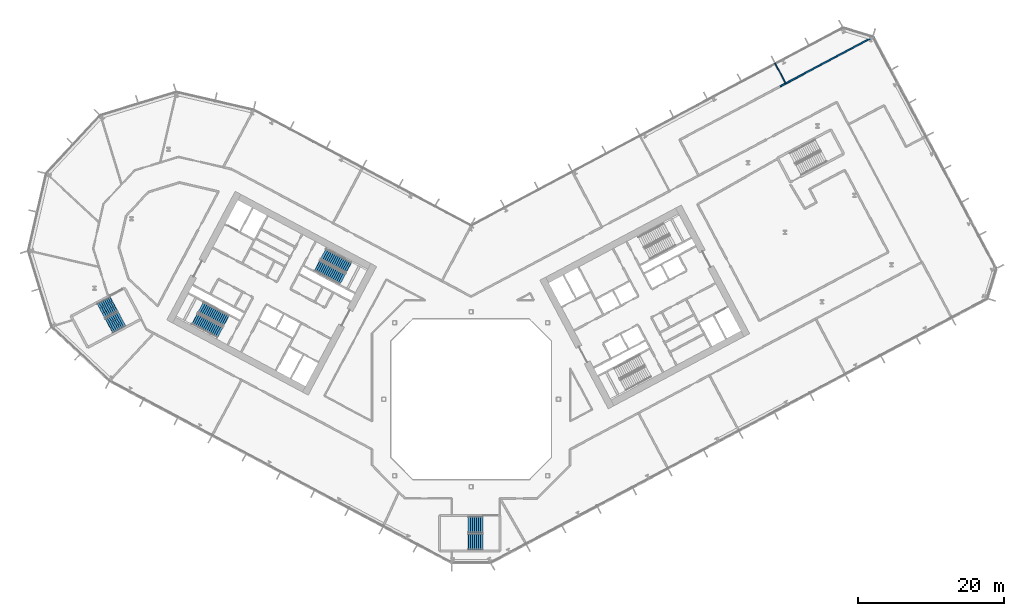
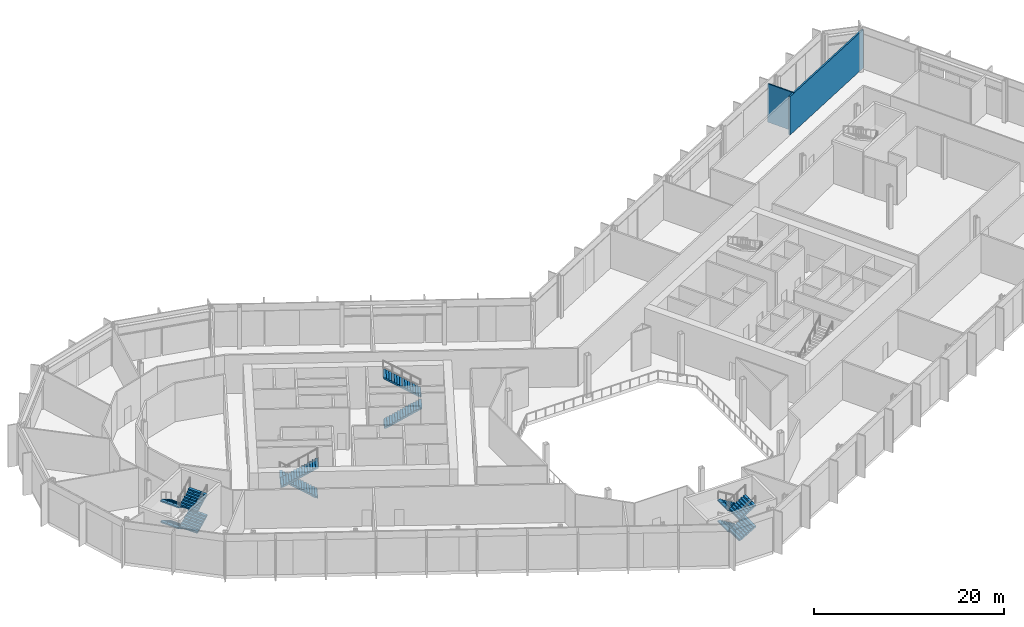
# One storey, part 17 of 30: 12 stair flights, 2 walls, 4 elements without a shape of their own.
"""IFC4 building model written with IfcOpenShell, lengths in metres."""

from ifc_helpers import new_model, si_unit, direction, frame, frame_2d, origin, place, context, subcontext, project, spatial, polyline, rectangle, outline, extrude, material, layer, layer_set, type_object, element, aggregate, save


model = new_model("IFC4")

# Units and contexts
model_context = context("Model", 3, precision=1e-05, world=origin(), true_north=direction((0.0, 1.0)))
body_context = subcontext(model_context, "Body", "Model", "MODEL_VIEW")
ifc_project = project(units=[si_unit("LENGTHUNIT", "METRE"), si_unit("AREAUNIT", "SQUARE_METRE"), si_unit("VOLUMEUNIT", "CUBIC_METRE"), si_unit("PLANEANGLEUNIT", "RADIAN"), si_unit("MASSUNIT", "GRAM", prefix="KILO")], contexts=[model_context])

# Site, building, storey
site_placement = place(None, origin())
site = spatial("IfcSite", under=ifc_project, at=site_placement, CompositionType="ELEMENT")
building_placement = place(site_placement, origin())
building = spatial("IfcBuilding", under=site, at=building_placement, Name="Cormorant Relay Tower", CompositionType="ELEMENT")
storey_placement = place(building_placement, frame((0.0, 0.0, 55.39990234375)))
storey = spatial("IfcBuildingStorey", under=building, at=storey_placement, Name="L10", CompositionType="ELEMENT", Elevation=55.39990234375)

# Walls
ifc_material_1 = material(Name="Fire-rated gypsum board partition")
ifc_layer_1 = layer(ifc_material_1, 0.199951171875)
ifc_layer_set_1 = layer_set([ifc_layer_1], Name="Fire-rated gypsum partition 200")
wall_type_1 = type_object("IfcWallType", Name="Fire-rated gypsum partition 200", PredefinedType="PARTITIONING", material=ifc_layer_set_1)
wall_1_placement = place(storey_placement, frame((42.426025390625, 42.945068359375, 0.0), z_axis=(0.0, 0.0, 1.0), x_axis=(0.882949550604, 0.469467880785, 0.0)))
element("IfcWall", 1, at=wall_1_placement, inside=storey, type_object=wall_type_1, Name="wall/L10/part/70", PredefinedType="PARTITIONING", context=body_context, shape_type="SweptSolid", body=[
    extrude(rectangle(XDim=14.595458984375, YDim=0.199951171875, at=frame_2d((7.2978515625, 0.0))), origin(), (0.0, 0.0, 1.0), 4.9501953125),
])
ifc_material_2 = material(Name="Gypsum board partition")
ifc_layer_2 = layer(ifc_material_2, 0.14990234375)
ifc_layer_set_2 = layer_set([ifc_layer_2], Name="Gypsum board partition 150")
wall_type_2 = type_object("IfcWallType", Name="Gypsum board partition 150", PredefinedType="PARTITIONING", material=ifc_layer_set_2)
wall_2_placement = place(storey_placement, frame((41.68603515625, 46.175048828125, 0.0), z_axis=(0.0, 0.0, 1.0), x_axis=(0.469447181805, -0.882960556025, 0.0)))
element("IfcWall", 2, at=wall_2_placement, inside=storey, type_object=wall_type_2, Name="wall/L10/part/69", PredefinedType="PARTITIONING", context=body_context, shape_type="SweptSolid", body=[
    extrude(rectangle(XDim=3.199462890625, YDim=0.14990234375, at=frame_2d((1.599609375, 0.0))), origin(), (0.0, 0.0, 1.0), 4.9501953125),
])

# Stair, stair flights
ifc_material_3 = material(Name="Concrete 40 MPa", Category="concrete")
stair_type_1 = type_object("IfcStairType", Name="Exit stair 1500", PredefinedType="HALF_TURN_STAIR", material=ifc_material_3)
stair_1_placement = place(storey_placement, origin())
stair_1 = element("IfcStair", 3, at=stair_1_placement, inside=storey, type_object=stair_type_1, Name="L10 Stair", PredefinedType="HALF_TURN_STAIR")
ifc_material_4 = material(Name="Concrete 40 MPa", Category="concrete")
stair_flight_type_1 = type_object("IfcStairFlightType", Name="Exit stair flight 1650", PredefinedType="STRAIGHT", material=ifc_material_4)
stair_flight_1_placement = place(storey_placement, frame((-21.114501953125, 18.33349609375, 0.0), z_axis=(0.0, 0.0, 1.0), x_axis=(0.882947592859, -0.469471562786, 0.0)))
stair_flight_1 = element("IfcStairFlight", 4, at=stair_flight_1_placement, type_object=stair_flight_type_1, Name="A1 flight 1", NumberOfRisers=15, NumberOfTreads=14, PredefinedType="STRAIGHT", RiserHeight=0.18, TreadLength=0.28, context=body_context, shape_type="SweptSolid", body=[
    extrude(outline(polyline([(-0.050048828125, -0.080078125), (-0.050048828125, 0.0), (0.0, 0.0), (0.0, 0.179931640625), (0.280029296875, 0.179931640625), (0.280029296875, 0.360107421875), (0.56005859375, 0.360107421875), (0.56005859375, 0.5400390625), (0.840087890625, 0.5400390625), (0.840087890625, 0.719970703125), (1.1201171875, 0.719970703125), (1.1201171875, 0.89990234375), (1.39990234375, 0.89990234375), (1.39990234375, 1.080078125), (1.679931640625, 1.080078125), (1.679931640625, 1.260009765625), (1.9599609375, 1.260009765625), (1.9599609375, 1.43994140625), (2.239990234375, 1.43994140625), (2.239990234375, 1.6201171875), (2.52001953125, 1.6201171875), (2.52001953125, 1.800048828125), (2.800048828125, 1.800048828125), (2.800048828125, 1.97998046875), (3.080078125, 1.97998046875), (3.080078125, 2.159912109375), (3.360107421875, 2.159912109375), (3.360107421875, 2.340087890625), (3.639892578125, 2.340087890625), (3.639892578125, 2.52001953125), (3.919921875, 2.52001953125), (3.969970703125, 2.52001953125), (3.969970703125, 2.341796875), (3.919921875, 2.341796875), (0.277099609375, 0.0), (-0.050048828125, -0.080078125)])), frame((0.0, 0.824951171875, 0.0), z_axis=(0.0, -1.0, 0.0), x_axis=(1.0, 0.0, 0.0)), (0.0, 0.0, 1.0), 1.64990234375),
])
stair_flight_2_placement = place(storey_placement, frame((-16.80810546875, 18.08251953125, 2.7001953125), z_axis=(0.0, 0.0, 1.0), x_axis=(-0.882947592859, 0.469471562786, 0.0)))
stair_flight_2 = element("IfcStairFlight", 5, at=stair_flight_2_placement, type_object=stair_flight_type_1, Name="A1 flight 2", NumberOfRisers=15, NumberOfTreads=14, PredefinedType="STRAIGHT", RiserHeight=0.18, TreadLength=0.28, context=body_context, shape_type="SweptSolid", body=[
    extrude(outline(polyline([(-0.050048828125, -0.080078125), (-0.050048828125, 0.0), (0.0, 0.0), (0.0, 0.179931640625), (0.280029296875, 0.179931640625), (0.280029296875, 0.360107421875), (0.56005859375, 0.360107421875), (0.56005859375, 0.5400390625), (0.840087890625, 0.5400390625), (0.840087890625, 0.719970703125), (1.1201171875, 0.719970703125), (1.1201171875, 0.89990234375), (1.39990234375, 0.89990234375), (1.39990234375, 1.080078125), (1.679931640625, 1.080078125), (1.679931640625, 1.260009765625), (1.9599609375, 1.260009765625), (1.9599609375, 1.43994140625), (2.239990234375, 1.43994140625), (2.239990234375, 1.6201171875), (2.52001953125, 1.6201171875), (2.52001953125, 1.800048828125), (2.800048828125, 1.800048828125), (2.800048828125, 1.97998046875), (3.080078125, 1.97998046875), (3.080078125, 2.159912109375), (3.360107421875, 2.159912109375), (3.360107421875, 2.340087890625), (3.639892578125, 2.340087890625), (3.639892578125, 2.52001953125), (3.919921875, 2.52001953125), (3.969970703125, 2.52001953125), (3.969970703125, 2.341796875), (3.919921875, 2.341796875), (0.277099609375, 0.0), (-0.050048828125, -0.080078125)])), frame((0.0, 0.824951171875, 0.0), z_axis=(0.0, -1.0, 0.0), x_axis=(1.0, 0.0, 0.0)), (0.0, 0.0, 1.0), 1.64990234375),
])
aggregate(stair_1, [stair_flight_1, stair_flight_2])

stair_2_placement = place(storey_placement, origin())
stair_2 = element("IfcStair", 6, at=stair_2_placement, inside=storey, type_object=stair_type_1, Name="L10 Stair", PredefinedType="HALF_TURN_STAIR")
stair_flight_3_placement = place(storey_placement, frame((-33.62841796875, 10.773681640625, 0.0), z_axis=(0.0, 0.0, 1.0), x_axis=(-0.882947592859, 0.469471562786, 0.0)))
stair_flight_3 = element("IfcStairFlight", 7, at=stair_flight_3_placement, type_object=stair_flight_type_1, Name="A2 flight 1", NumberOfRisers=15, NumberOfTreads=14, PredefinedType="STRAIGHT", RiserHeight=0.18, TreadLength=0.28, context=body_context, shape_type="SweptSolid", body=[
    extrude(outline(polyline([(-0.050048828125, -0.080078125), (-0.050048828125, 0.0), (0.0, 0.0), (0.0, 0.179931640625), (0.280029296875, 0.179931640625), (0.280029296875, 0.360107421875), (0.56005859375, 0.360107421875), (0.56005859375, 0.5400390625), (0.840087890625, 0.5400390625), (0.840087890625, 0.719970703125), (1.1201171875, 0.719970703125), (1.1201171875, 0.89990234375), (1.39990234375, 0.89990234375), (1.39990234375, 1.080078125), (1.679931640625, 1.080078125), (1.679931640625, 1.260009765625), (1.9599609375, 1.260009765625), (1.9599609375, 1.43994140625), (2.239990234375, 1.43994140625), (2.239990234375, 1.6201171875), (2.52001953125, 1.6201171875), (2.52001953125, 1.800048828125), (2.800048828125, 1.800048828125), (2.800048828125, 1.97998046875), (3.080078125, 1.97998046875), (3.080078125, 2.159912109375), (3.360107421875, 2.159912109375), (3.360107421875, 2.340087890625), (3.639892578125, 2.340087890625), (3.639892578125, 2.52001953125), (3.919921875, 2.52001953125), (3.969970703125, 2.52001953125), (3.969970703125, 2.341796875), (3.919921875, 2.341796875), (0.277099609375, 0.0), (-0.050048828125, -0.080078125)])), frame((0.0, 0.824951171875, 0.0), z_axis=(0.0, -1.0, 0.0), x_axis=(1.0, 0.0, 0.0)), (0.0, 0.0, 1.0), 1.64990234375),
])
stair_flight_4_placement = place(storey_placement, frame((-37.9345703125, 11.024658203125, 2.7001953125), z_axis=(0.0, 0.0, 1.0), x_axis=(0.882947592859, -0.469471562786, 0.0)))
stair_flight_4 = element("IfcStairFlight", 8, at=stair_flight_4_placement, type_object=stair_flight_type_1, Name="A2 flight 2", NumberOfRisers=15, NumberOfTreads=14, PredefinedType="STRAIGHT", RiserHeight=0.18, TreadLength=0.28, context=body_context, shape_type="SweptSolid", body=[
    extrude(outline(polyline([(-0.050048828125, -0.080078125), (-0.050048828125, 0.0), (0.0, 0.0), (0.0, 0.179931640625), (0.280029296875, 0.179931640625), (0.280029296875, 0.360107421875), (0.56005859375, 0.360107421875), (0.56005859375, 0.5400390625), (0.840087890625, 0.5400390625), (0.840087890625, 0.719970703125), (1.1201171875, 0.719970703125), (1.1201171875, 0.89990234375), (1.39990234375, 0.89990234375), (1.39990234375, 1.080078125), (1.679931640625, 1.080078125), (1.679931640625, 1.260009765625), (1.9599609375, 1.260009765625), (1.9599609375, 1.43994140625), (2.239990234375, 1.43994140625), (2.239990234375, 1.6201171875), (2.52001953125, 1.6201171875), (2.52001953125, 1.800048828125), (2.800048828125, 1.800048828125), (2.800048828125, 1.97998046875), (3.080078125, 1.97998046875), (3.080078125, 2.159912109375), (3.360107421875, 2.159912109375), (3.360107421875, 2.340087890625), (3.639892578125, 2.340087890625), (3.639892578125, 2.52001953125), (3.919921875, 2.52001953125), (3.969970703125, 2.52001953125), (3.969970703125, 2.341796875), (3.919921875, 2.341796875), (0.277099609375, 0.0), (-0.050048828125, -0.080078125)])), frame((0.0, 0.824951171875, 0.0), z_axis=(0.0, -1.0, 0.0), x_axis=(1.0, 0.0, 0.0)), (0.0, 0.0, 1.0), 1.64990234375),
])
aggregate(stair_2, [stair_flight_3, stair_flight_4])

ifc_material_5 = material(Name="Concrete 40 MPa", Category="concrete")
stair_type_2 = type_object("IfcStairType", Name="Remote exit stair 2200", PredefinedType="HALF_TURN_STAIR", material=ifc_material_5)
stair_3_placement = place(storey_placement, origin())
stair_3 = element("IfcStair", 9, at=stair_3_placement, inside=storey, type_object=stair_type_2, Name="L10 Stair", PredefinedType="HALF_TURN_STAIR")
ifc_material_6 = material(Name="Concrete 40 MPa", Category="concrete")
stair_flight_type_2 = type_object("IfcStairFlightType", Name="Remote exit stair flight 2200", PredefinedType="STRAIGHT", material=ifc_material_6)
stair_flight_5_placement = place(storey_placement, frame((1.60009765625, -17.22509765625, 0.0), z_axis=(0.0, 0.0, 1.0), x_axis=(-1.0, 0.0, 0.0)))
stair_flight_5 = element("IfcStairFlight", 10, at=stair_flight_5_placement, type_object=stair_flight_type_2, Name="RK1 flight 1", NumberOfRisers=8, NumberOfTreads=7, PredefinedType="STRAIGHT", RiserHeight=0.16875, TreadLength=0.28, context=body_context, shape_type="SweptSolid", body=[
    extrude(outline(polyline([(-0.050048828125, -0.080078125), (-0.050048828125, 0.0), (0.0, 0.0), (0.0, 0.168701171875), (0.280029296875, 0.168701171875), (0.280029296875, 0.33740234375), (0.56005859375, 0.33740234375), (0.56005859375, 0.50634765625), (0.840087890625, 0.50634765625), (0.840087890625, 0.675048828125), (1.1201171875, 0.675048828125), (1.1201171875, 0.84375), (1.39990234375, 0.84375), (1.39990234375, 1.012451171875), (1.679931640625, 1.012451171875), (1.679931640625, 1.18115234375), (1.9599609375, 1.18115234375), (2.010009765625, 1.18115234375), (2.010009765625, 1.00634765625), (1.9599609375, 1.00634765625), (0.29052734375, 0.0), (-0.050048828125, -0.080078125)])), frame((0.0, 1.10009765625, 0.0), z_axis=(0.0, -1.0, 0.0), x_axis=(1.0, 0.0, 0.0)), (0.0, 0.0, 1.0), 0.719970703125),
    extrude(outline(polyline([(-0.050048828125, -0.080078125), (-0.050048828125, 0.0), (0.0, 0.0), (0.0, 0.168701171875), (0.280029296875, 0.168701171875), (0.280029296875, 0.33740234375), (0.56005859375, 0.33740234375), (0.56005859375, 0.50634765625), (0.840087890625, 0.50634765625), (0.840087890625, 0.675048828125), (1.1201171875, 0.675048828125), (1.1201171875, 0.84375), (1.39990234375, 0.84375), (1.39990234375, 1.012451171875), (1.679931640625, 1.012451171875), (1.679931640625, 1.18115234375), (1.9599609375, 1.18115234375), (2.010009765625, 1.18115234375), (2.010009765625, 1.00634765625), (1.9599609375, 1.00634765625), (0.29052734375, 0.0), (-0.050048828125, -0.080078125)])), frame((0.0, 0.360107421875, 0.0), z_axis=(0.0, -1.0, 0.0), x_axis=(1.0, 0.0, 0.0)), (0.0, 0.0, 1.0), 0.719970703125),
    extrude(outline(polyline([(-0.050048828125, -0.080078125), (-0.050048828125, 0.0), (0.0, 0.0), (0.0, 0.168701171875), (0.280029296875, 0.168701171875), (0.280029296875, 0.33740234375), (0.56005859375, 0.33740234375), (0.56005859375, 0.50634765625), (0.840087890625, 0.50634765625), (0.840087890625, 0.675048828125), (1.1201171875, 0.675048828125), (1.1201171875, 0.84375), (1.39990234375, 0.84375), (1.39990234375, 1.012451171875), (1.679931640625, 1.012451171875), (1.679931640625, 1.18115234375), (1.9599609375, 1.18115234375), (2.010009765625, 1.18115234375), (2.010009765625, 1.00634765625), (1.9599609375, 1.00634765625), (0.29052734375, 0.0), (-0.050048828125, -0.080078125)])), frame((0.0, -0.3798828125, 0.0), z_axis=(0.0, -1.0, 0.0), x_axis=(1.0, 0.0, 0.0)), (0.0, 0.0, 1.0), 0.719970703125),
])
stair_flight_6_placement = place(storey_placement, frame((-0.360107421875, -19.574951171875, 1.35009765625), z_axis=(0.0, 0.0, 1.0), x_axis=(1.0, 0.0, 0.0)))
stair_flight_6 = element("IfcStairFlight", 11, at=stair_flight_6_placement, type_object=stair_flight_type_2, Name="RK1 flight 2", NumberOfRisers=8, NumberOfTreads=7, PredefinedType="STRAIGHT", RiserHeight=0.16875, TreadLength=0.28, context=body_context, shape_type="SweptSolid", body=[
    extrude(outline(polyline([(-0.050048828125, -0.080078125), (-0.050048828125, 0.0), (0.0, 0.0), (0.0, 0.168701171875), (0.280029296875, 0.168701171875), (0.280029296875, 0.33740234375), (0.56005859375, 0.33740234375), (0.56005859375, 0.50634765625), (0.840087890625, 0.50634765625), (0.840087890625, 0.675048828125), (1.1201171875, 0.675048828125), (1.1201171875, 0.84375), (1.39990234375, 0.84375), (1.39990234375, 1.012451171875), (1.679931640625, 1.012451171875), (1.679931640625, 1.18115234375), (1.9599609375, 1.18115234375), (2.010009765625, 1.18115234375), (2.010009765625, 1.00634765625), (1.9599609375, 1.00634765625), (0.29052734375, 0.0), (-0.050048828125, -0.080078125)])), frame((0.0, 1.10009765625, 0.0), z_axis=(0.0, -1.0, 0.0), x_axis=(1.0, 0.0, 0.0)), (0.0, 0.0, 1.0), 0.719970703125),
    extrude(outline(polyline([(-0.050048828125, -0.080078125), (-0.050048828125, 0.0), (0.0, 0.0), (0.0, 0.168701171875), (0.280029296875, 0.168701171875), (0.280029296875, 0.33740234375), (0.56005859375, 0.33740234375), (0.56005859375, 0.50634765625), (0.840087890625, 0.50634765625), (0.840087890625, 0.675048828125), (1.1201171875, 0.675048828125), (1.1201171875, 0.84375), (1.39990234375, 0.84375), (1.39990234375, 1.012451171875), (1.679931640625, 1.012451171875), (1.679931640625, 1.18115234375), (1.9599609375, 1.18115234375), (2.010009765625, 1.18115234375), (2.010009765625, 1.00634765625), (1.9599609375, 1.00634765625), (0.29052734375, 0.0), (-0.050048828125, -0.080078125)])), frame((0.0, 0.360107421875, 0.0), z_axis=(0.0, -1.0, 0.0), x_axis=(1.0, 0.0, 0.0)), (0.0, 0.0, 1.0), 0.719970703125),
    extrude(outline(polyline([(-0.050048828125, -0.080078125), (-0.050048828125, 0.0), (0.0, 0.0), (0.0, 0.168701171875), (0.280029296875, 0.168701171875), (0.280029296875, 0.33740234375), (0.56005859375, 0.33740234375), (0.56005859375, 0.50634765625), (0.840087890625, 0.50634765625), (0.840087890625, 0.675048828125), (1.1201171875, 0.675048828125), (1.1201171875, 0.84375), (1.39990234375, 0.84375), (1.39990234375, 1.012451171875), (1.679931640625, 1.012451171875), (1.679931640625, 1.18115234375), (1.9599609375, 1.18115234375), (2.010009765625, 1.18115234375), (2.010009765625, 1.00634765625), (1.9599609375, 1.00634765625), (0.29052734375, 0.0), (-0.050048828125, -0.080078125)])), frame((0.0, -0.3798828125, 0.0), z_axis=(0.0, -1.0, 0.0), x_axis=(1.0, 0.0, 0.0)), (0.0, 0.0, 1.0), 0.719970703125),
])
stair_flight_7_placement = place(storey_placement, frame((1.60009765625, -17.22509765625, 2.7001953125), z_axis=(0.0, 0.0, 1.0), x_axis=(-1.0, 0.0, 0.0)))
stair_flight_7 = element("IfcStairFlight", 12, at=stair_flight_7_placement, type_object=stair_flight_type_2, Name="RK1 flight 3", NumberOfRisers=8, NumberOfTreads=7, PredefinedType="STRAIGHT", RiserHeight=0.16875, TreadLength=0.28, context=body_context, shape_type="SweptSolid", body=[
    extrude(outline(polyline([(-0.050048828125, -0.080078125), (-0.050048828125, 0.0), (0.0, 0.0), (0.0, 0.168701171875), (0.280029296875, 0.168701171875), (0.280029296875, 0.33740234375), (0.56005859375, 0.33740234375), (0.56005859375, 0.50634765625), (0.840087890625, 0.50634765625), (0.840087890625, 0.675048828125), (1.1201171875, 0.675048828125), (1.1201171875, 0.84375), (1.39990234375, 0.84375), (1.39990234375, 1.012451171875), (1.679931640625, 1.012451171875), (1.679931640625, 1.18115234375), (1.9599609375, 1.18115234375), (2.010009765625, 1.18115234375), (2.010009765625, 1.00634765625), (1.9599609375, 1.00634765625), (0.29052734375, 0.0), (-0.050048828125, -0.080078125)])), frame((0.0, 1.10009765625, 0.0), z_axis=(0.0, -1.0, 0.0), x_axis=(1.0, 0.0, 0.0)), (0.0, 0.0, 1.0), 0.719970703125),
    extrude(outline(polyline([(-0.050048828125, -0.080078125), (-0.050048828125, 0.0), (0.0, 0.0), (0.0, 0.168701171875), (0.280029296875, 0.168701171875), (0.280029296875, 0.33740234375), (0.56005859375, 0.33740234375), (0.56005859375, 0.50634765625), (0.840087890625, 0.50634765625), (0.840087890625, 0.675048828125), (1.1201171875, 0.675048828125), (1.1201171875, 0.84375), (1.39990234375, 0.84375), (1.39990234375, 1.012451171875), (1.679931640625, 1.012451171875), (1.679931640625, 1.18115234375), (1.9599609375, 1.18115234375), (2.010009765625, 1.18115234375), (2.010009765625, 1.00634765625), (1.9599609375, 1.00634765625), (0.29052734375, 0.0), (-0.050048828125, -0.080078125)])), frame((0.0, 0.360107421875, 0.0), z_axis=(0.0, -1.0, 0.0), x_axis=(1.0, 0.0, 0.0)), (0.0, 0.0, 1.0), 0.719970703125),
    extrude(outline(polyline([(-0.050048828125, -0.080078125), (-0.050048828125, 0.0), (0.0, 0.0), (0.0, 0.168701171875), (0.280029296875, 0.168701171875), (0.280029296875, 0.33740234375), (0.56005859375, 0.33740234375), (0.56005859375, 0.50634765625), (0.840087890625, 0.50634765625), (0.840087890625, 0.675048828125), (1.1201171875, 0.675048828125), (1.1201171875, 0.84375), (1.39990234375, 0.84375), (1.39990234375, 1.012451171875), (1.679931640625, 1.012451171875), (1.679931640625, 1.18115234375), (1.9599609375, 1.18115234375), (2.010009765625, 1.18115234375), (2.010009765625, 1.00634765625), (1.9599609375, 1.00634765625), (0.29052734375, 0.0), (-0.050048828125, -0.080078125)])), frame((0.0, -0.3798828125, 0.0), z_axis=(0.0, -1.0, 0.0), x_axis=(1.0, 0.0, 0.0)), (0.0, 0.0, 1.0), 0.719970703125),
])
stair_flight_8_placement = place(storey_placement, frame((-0.360107421875, -19.574951171875, 4.050048828125), z_axis=(0.0, 0.0, 1.0), x_axis=(1.0, 0.0, 0.0)))
stair_flight_8 = element("IfcStairFlight", 13, at=stair_flight_8_placement, type_object=stair_flight_type_2, Name="RK1 flight 4", NumberOfRisers=8, NumberOfTreads=7, PredefinedType="STRAIGHT", RiserHeight=0.16875, TreadLength=0.28, context=body_context, shape_type="SweptSolid", body=[
    extrude(outline(polyline([(-0.050048828125, -0.080078125), (-0.050048828125, 0.0), (0.0, 0.0), (0.0, 0.168701171875), (0.280029296875, 0.168701171875), (0.280029296875, 0.33740234375), (0.56005859375, 0.33740234375), (0.56005859375, 0.50634765625), (0.840087890625, 0.50634765625), (0.840087890625, 0.675048828125), (1.1201171875, 0.675048828125), (1.1201171875, 0.84375), (1.39990234375, 0.84375), (1.39990234375, 1.012451171875), (1.679931640625, 1.012451171875), (1.679931640625, 1.18115234375), (1.9599609375, 1.18115234375), (2.010009765625, 1.18115234375), (2.010009765625, 1.00634765625), (1.9599609375, 1.00634765625), (0.29052734375, 0.0), (-0.050048828125, -0.080078125)])), frame((0.0, 1.10009765625, 0.0), z_axis=(0.0, -1.0, 0.0), x_axis=(1.0, 0.0, 0.0)), (0.0, 0.0, 1.0), 0.719970703125),
    extrude(outline(polyline([(-0.050048828125, -0.080078125), (-0.050048828125, 0.0), (0.0, 0.0), (0.0, 0.168701171875), (0.280029296875, 0.168701171875), (0.280029296875, 0.33740234375), (0.56005859375, 0.33740234375), (0.56005859375, 0.50634765625), (0.840087890625, 0.50634765625), (0.840087890625, 0.675048828125), (1.1201171875, 0.675048828125), (1.1201171875, 0.84375), (1.39990234375, 0.84375), (1.39990234375, 1.012451171875), (1.679931640625, 1.012451171875), (1.679931640625, 1.18115234375), (1.9599609375, 1.18115234375), (2.010009765625, 1.18115234375), (2.010009765625, 1.00634765625), (1.9599609375, 1.00634765625), (0.29052734375, 0.0), (-0.050048828125, -0.080078125)])), frame((0.0, 0.360107421875, 0.0), z_axis=(0.0, -1.0, 0.0), x_axis=(1.0, 0.0, 0.0)), (0.0, 0.0, 1.0), 0.719970703125),
    extrude(outline(polyline([(-0.050048828125, -0.080078125), (-0.050048828125, 0.0), (0.0, 0.0), (0.0, 0.168701171875), (0.280029296875, 0.168701171875), (0.280029296875, 0.33740234375), (0.56005859375, 0.33740234375), (0.56005859375, 0.50634765625), (0.840087890625, 0.50634765625), (0.840087890625, 0.675048828125), (1.1201171875, 0.675048828125), (1.1201171875, 0.84375), (1.39990234375, 0.84375), (1.39990234375, 1.012451171875), (1.679931640625, 1.012451171875), (1.679931640625, 1.18115234375), (1.9599609375, 1.18115234375), (2.010009765625, 1.18115234375), (2.010009765625, 1.00634765625), (1.9599609375, 1.00634765625), (0.29052734375, 0.0), (-0.050048828125, -0.080078125)])), frame((0.0, -0.3798828125, 0.0), z_axis=(0.0, -1.0, 0.0), x_axis=(1.0, 0.0, 0.0)), (0.0, 0.0, 1.0), 0.719970703125),
])
aggregate(stair_3, [stair_flight_5, stair_flight_6, stair_flight_7, stair_flight_8])

stair_4_placement = place(storey_placement, origin())
stair_4 = element("IfcStair", 14, at=stair_4_placement, inside=storey, type_object=stair_type_2, Name="L10 Stair", PredefinedType="HALF_TURN_STAIR")
stair_flight_9_placement = place(storey_placement, frame((-49.062255859375, 13.08251953125, 0.0), z_axis=(0.0, 0.0, 1.0), x_axis=(-0.882947502727, -0.4694717323, 0.0)))
stair_flight_9 = element("IfcStairFlight", 15, at=stair_flight_9_placement, type_object=stair_flight_type_2, Name="RP1 flight 1", NumberOfRisers=8, NumberOfTreads=7, PredefinedType="STRAIGHT", RiserHeight=0.16875, TreadLength=0.28, context=body_context, shape_type="SweptSolid", body=[
    extrude(outline(polyline([(-0.050048828125, -0.080078125), (-0.050048828125, 0.0), (0.0, 0.0), (0.0, 0.168701171875), (0.280029296875, 0.168701171875), (0.280029296875, 0.33740234375), (0.56005859375, 0.33740234375), (0.56005859375, 0.50634765625), (0.840087890625, 0.50634765625), (0.840087890625, 0.675048828125), (1.1201171875, 0.675048828125), (1.1201171875, 0.84375), (1.39990234375, 0.84375), (1.39990234375, 1.012451171875), (1.679931640625, 1.012451171875), (1.679931640625, 1.18115234375), (1.9599609375, 1.18115234375), (2.010009765625, 1.18115234375), (2.010009765625, 1.00634765625), (1.9599609375, 1.00634765625), (0.29052734375, 0.0), (-0.050048828125, -0.080078125)])), frame((0.0, 1.10009765625, 0.0), z_axis=(0.0, -1.0, 0.0), x_axis=(1.0, 0.0, 0.0)), (0.0, 0.0, 1.0), 0.719970703125),
    extrude(outline(polyline([(-0.050048828125, -0.080078125), (-0.050048828125, 0.0), (0.0, 0.0), (0.0, 0.168701171875), (0.280029296875, 0.168701171875), (0.280029296875, 0.33740234375), (0.56005859375, 0.33740234375), (0.56005859375, 0.50634765625), (0.840087890625, 0.50634765625), (0.840087890625, 0.675048828125), (1.1201171875, 0.675048828125), (1.1201171875, 0.84375), (1.39990234375, 0.84375), (1.39990234375, 1.012451171875), (1.679931640625, 1.012451171875), (1.679931640625, 1.18115234375), (1.9599609375, 1.18115234375), (2.010009765625, 1.18115234375), (2.010009765625, 1.00634765625), (1.9599609375, 1.00634765625), (0.29052734375, 0.0), (-0.050048828125, -0.080078125)])), frame((0.0, 0.360107421875, 0.0), z_axis=(0.0, -1.0, 0.0), x_axis=(1.0, 0.0, 0.0)), (0.0, 0.0, 1.0), 0.719970703125),
    extrude(outline(polyline([(-0.050048828125, -0.080078125), (-0.050048828125, 0.0), (0.0, 0.0), (0.0, 0.168701171875), (0.280029296875, 0.168701171875), (0.280029296875, 0.33740234375), (0.56005859375, 0.33740234375), (0.56005859375, 0.50634765625), (0.840087890625, 0.50634765625), (0.840087890625, 0.675048828125), (1.1201171875, 0.675048828125), (1.1201171875, 0.84375), (1.39990234375, 0.84375), (1.39990234375, 1.012451171875), (1.679931640625, 1.012451171875), (1.679931640625, 1.18115234375), (1.9599609375, 1.18115234375), (2.010009765625, 1.18115234375), (2.010009765625, 1.00634765625), (1.9599609375, 1.00634765625), (0.29052734375, 0.0), (-0.050048828125, -0.080078125)])), frame((0.0, -0.3798828125, 0.0), z_axis=(0.0, -1.0, 0.0), x_axis=(1.0, 0.0, 0.0)), (0.0, 0.0, 1.0), 0.719970703125),
])
stair_flight_10_placement = place(storey_placement, frame((-49.689697265625, 10.08740234375, 1.35009765625), z_axis=(0.0, 0.0, 1.0), x_axis=(0.882947502727, 0.4694717323, 0.0)))
stair_flight_10 = element("IfcStairFlight", 16, at=stair_flight_10_placement, type_object=stair_flight_type_2, Name="RP1 flight 2", NumberOfRisers=8, NumberOfTreads=7, PredefinedType="STRAIGHT", RiserHeight=0.16875, TreadLength=0.28, context=body_context, shape_type="SweptSolid", body=[
    extrude(outline(polyline([(-0.050048828125, -0.080078125), (-0.050048828125, 0.0), (0.0, 0.0), (0.0, 0.168701171875), (0.280029296875, 0.168701171875), (0.280029296875, 0.33740234375), (0.56005859375, 0.33740234375), (0.56005859375, 0.50634765625), (0.840087890625, 0.50634765625), (0.840087890625, 0.675048828125), (1.1201171875, 0.675048828125), (1.1201171875, 0.84375), (1.39990234375, 0.84375), (1.39990234375, 1.012451171875), (1.679931640625, 1.012451171875), (1.679931640625, 1.18115234375), (1.9599609375, 1.18115234375), (2.010009765625, 1.18115234375), (2.010009765625, 1.00634765625), (1.9599609375, 1.00634765625), (0.29052734375, 0.0), (-0.050048828125, -0.080078125)])), frame((0.0, 1.10009765625, 0.0), z_axis=(0.0, -1.0, 0.0), x_axis=(1.0, 0.0, 0.0)), (0.0, 0.0, 1.0), 0.719970703125),
    extrude(outline(polyline([(-0.050048828125, -0.080078125), (-0.050048828125, 0.0), (0.0, 0.0), (0.0, 0.168701171875), (0.280029296875, 0.168701171875), (0.280029296875, 0.33740234375), (0.56005859375, 0.33740234375), (0.56005859375, 0.50634765625), (0.840087890625, 0.50634765625), (0.840087890625, 0.675048828125), (1.1201171875, 0.675048828125), (1.1201171875, 0.84375), (1.39990234375, 0.84375), (1.39990234375, 1.012451171875), (1.679931640625, 1.012451171875), (1.679931640625, 1.18115234375), (1.9599609375, 1.18115234375), (2.010009765625, 1.18115234375), (2.010009765625, 1.00634765625), (1.9599609375, 1.00634765625), (0.29052734375, 0.0), (-0.050048828125, -0.080078125)])), frame((0.0, 0.360107421875, 0.0), z_axis=(0.0, -1.0, 0.0), x_axis=(1.0, 0.0, 0.0)), (0.0, 0.0, 1.0), 0.719970703125),
    extrude(outline(polyline([(-0.050048828125, -0.080078125), (-0.050048828125, 0.0), (0.0, 0.0), (0.0, 0.168701171875), (0.280029296875, 0.168701171875), (0.280029296875, 0.33740234375), (0.56005859375, 0.33740234375), (0.56005859375, 0.50634765625), (0.840087890625, 0.50634765625), (0.840087890625, 0.675048828125), (1.1201171875, 0.675048828125), (1.1201171875, 0.84375), (1.39990234375, 0.84375), (1.39990234375, 1.012451171875), (1.679931640625, 1.012451171875), (1.679931640625, 1.18115234375), (1.9599609375, 1.18115234375), (2.010009765625, 1.18115234375), (2.010009765625, 1.00634765625), (1.9599609375, 1.00634765625), (0.29052734375, 0.0), (-0.050048828125, -0.080078125)])), frame((0.0, -0.3798828125, 0.0), z_axis=(0.0, -1.0, 0.0), x_axis=(1.0, 0.0, 0.0)), (0.0, 0.0, 1.0), 0.719970703125),
])
stair_flight_11_placement = place(storey_placement, frame((-49.062255859375, 13.08251953125, 2.7001953125), z_axis=(0.0, 0.0, 1.0), x_axis=(-0.882947502727, -0.4694717323, 0.0)))
stair_flight_11 = element("IfcStairFlight", 17, at=stair_flight_11_placement, type_object=stair_flight_type_2, Name="RP1 flight 3", NumberOfRisers=8, NumberOfTreads=7, PredefinedType="STRAIGHT", RiserHeight=0.16875, TreadLength=0.28, context=body_context, shape_type="SweptSolid", body=[
    extrude(outline(polyline([(-0.050048828125, -0.080078125), (-0.050048828125, 0.0), (0.0, 0.0), (0.0, 0.168701171875), (0.280029296875, 0.168701171875), (0.280029296875, 0.33740234375), (0.56005859375, 0.33740234375), (0.56005859375, 0.50634765625), (0.840087890625, 0.50634765625), (0.840087890625, 0.675048828125), (1.1201171875, 0.675048828125), (1.1201171875, 0.84375), (1.39990234375, 0.84375), (1.39990234375, 1.012451171875), (1.679931640625, 1.012451171875), (1.679931640625, 1.18115234375), (1.9599609375, 1.18115234375), (2.010009765625, 1.18115234375), (2.010009765625, 1.00634765625), (1.9599609375, 1.00634765625), (0.29052734375, 0.0), (-0.050048828125, -0.080078125)])), frame((0.0, 1.10009765625, 0.0), z_axis=(0.0, -1.0, 0.0), x_axis=(1.0, 0.0, 0.0)), (0.0, 0.0, 1.0), 0.719970703125),
    extrude(outline(polyline([(-0.050048828125, -0.080078125), (-0.050048828125, 0.0), (0.0, 0.0), (0.0, 0.168701171875), (0.280029296875, 0.168701171875), (0.280029296875, 0.33740234375), (0.56005859375, 0.33740234375), (0.56005859375, 0.50634765625), (0.840087890625, 0.50634765625), (0.840087890625, 0.675048828125), (1.1201171875, 0.675048828125), (1.1201171875, 0.84375), (1.39990234375, 0.84375), (1.39990234375, 1.012451171875), (1.679931640625, 1.012451171875), (1.679931640625, 1.18115234375), (1.9599609375, 1.18115234375), (2.010009765625, 1.18115234375), (2.010009765625, 1.00634765625), (1.9599609375, 1.00634765625), (0.29052734375, 0.0), (-0.050048828125, -0.080078125)])), frame((0.0, 0.360107421875, 0.0), z_axis=(0.0, -1.0, 0.0), x_axis=(1.0, 0.0, 0.0)), (0.0, 0.0, 1.0), 0.719970703125),
    extrude(outline(polyline([(-0.050048828125, -0.080078125), (-0.050048828125, 0.0), (0.0, 0.0), (0.0, 0.168701171875), (0.280029296875, 0.168701171875), (0.280029296875, 0.33740234375), (0.56005859375, 0.33740234375), (0.56005859375, 0.50634765625), (0.840087890625, 0.50634765625), (0.840087890625, 0.675048828125), (1.1201171875, 0.675048828125), (1.1201171875, 0.84375), (1.39990234375, 0.84375), (1.39990234375, 1.012451171875), (1.679931640625, 1.012451171875), (1.679931640625, 1.18115234375), (1.9599609375, 1.18115234375), (2.010009765625, 1.18115234375), (2.010009765625, 1.00634765625), (1.9599609375, 1.00634765625), (0.29052734375, 0.0), (-0.050048828125, -0.080078125)])), frame((0.0, -0.3798828125, 0.0), z_axis=(0.0, -1.0, 0.0), x_axis=(1.0, 0.0, 0.0)), (0.0, 0.0, 1.0), 0.719970703125),
])
stair_flight_12_placement = place(storey_placement, frame((-49.689697265625, 10.08740234375, 4.050048828125), z_axis=(0.0, 0.0, 1.0), x_axis=(0.882947502727, 0.4694717323, 0.0)))
stair_flight_12 = element("IfcStairFlight", 18, at=stair_flight_12_placement, type_object=stair_flight_type_2, Name="RP1 flight 4", NumberOfRisers=8, NumberOfTreads=7, PredefinedType="STRAIGHT", RiserHeight=0.16875, TreadLength=0.28, context=body_context, shape_type="SweptSolid", body=[
    extrude(outline(polyline([(-0.050048828125, -0.080078125), (-0.050048828125, 0.0), (0.0, 0.0), (0.0, 0.168701171875), (0.280029296875, 0.168701171875), (0.280029296875, 0.33740234375), (0.56005859375, 0.33740234375), (0.56005859375, 0.50634765625), (0.840087890625, 0.50634765625), (0.840087890625, 0.675048828125), (1.1201171875, 0.675048828125), (1.1201171875, 0.84375), (1.39990234375, 0.84375), (1.39990234375, 1.012451171875), (1.679931640625, 1.012451171875), (1.679931640625, 1.18115234375), (1.9599609375, 1.18115234375), (2.010009765625, 1.18115234375), (2.010009765625, 1.00634765625), (1.9599609375, 1.00634765625), (0.29052734375, 0.0), (-0.050048828125, -0.080078125)])), frame((0.0, 1.10009765625, 0.0), z_axis=(0.0, -1.0, 0.0), x_axis=(1.0, 0.0, 0.0)), (0.0, 0.0, 1.0), 0.719970703125),
    extrude(outline(polyline([(-0.050048828125, -0.080078125), (-0.050048828125, 0.0), (0.0, 0.0), (0.0, 0.168701171875), (0.280029296875, 0.168701171875), (0.280029296875, 0.33740234375), (0.56005859375, 0.33740234375), (0.56005859375, 0.50634765625), (0.840087890625, 0.50634765625), (0.840087890625, 0.675048828125), (1.1201171875, 0.675048828125), (1.1201171875, 0.84375), (1.39990234375, 0.84375), (1.39990234375, 1.012451171875), (1.679931640625, 1.012451171875), (1.679931640625, 1.18115234375), (1.9599609375, 1.18115234375), (2.010009765625, 1.18115234375), (2.010009765625, 1.00634765625), (1.9599609375, 1.00634765625), (0.29052734375, 0.0), (-0.050048828125, -0.080078125)])), frame((0.0, 0.360107421875, 0.0), z_axis=(0.0, -1.0, 0.0), x_axis=(1.0, 0.0, 0.0)), (0.0, 0.0, 1.0), 0.719970703125),
    extrude(outline(polyline([(-0.050048828125, -0.080078125), (-0.050048828125, 0.0), (0.0, 0.0), (0.0, 0.168701171875), (0.280029296875, 0.168701171875), (0.280029296875, 0.33740234375), (0.56005859375, 0.33740234375), (0.56005859375, 0.50634765625), (0.840087890625, 0.50634765625), (0.840087890625, 0.675048828125), (1.1201171875, 0.675048828125), (1.1201171875, 0.84375), (1.39990234375, 0.84375), (1.39990234375, 1.012451171875), (1.679931640625, 1.012451171875), (1.679931640625, 1.18115234375), (1.9599609375, 1.18115234375), (2.010009765625, 1.18115234375), (2.010009765625, 1.00634765625), (1.9599609375, 1.00634765625), (0.29052734375, 0.0), (-0.050048828125, -0.080078125)])), frame((0.0, -0.3798828125, 0.0), z_axis=(0.0, -1.0, 0.0), x_axis=(1.0, 0.0, 0.0)), (0.0, 0.0, 1.0), 0.719970703125),
])
aggregate(stair_4, [stair_flight_9, stair_flight_10, stair_flight_11, stair_flight_12])

save(model, "model.ifc")
